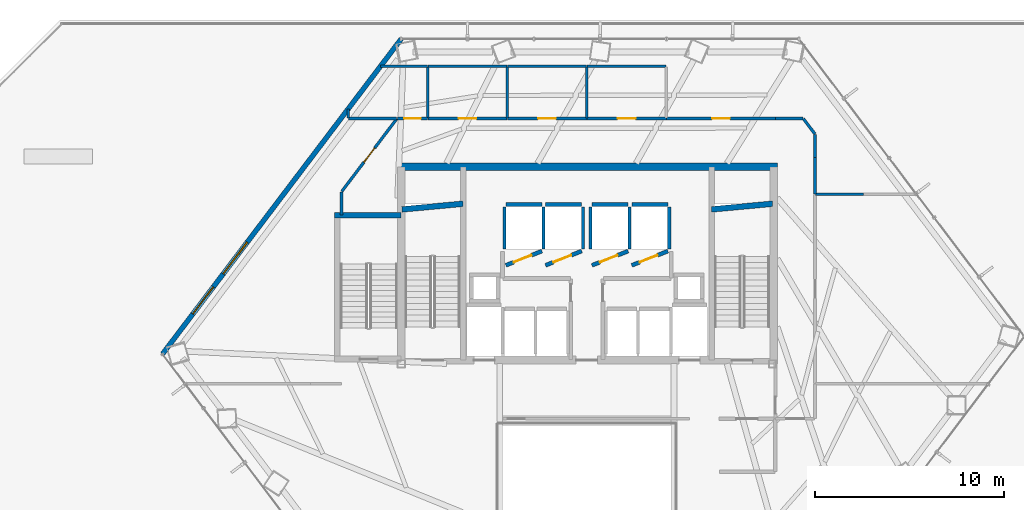
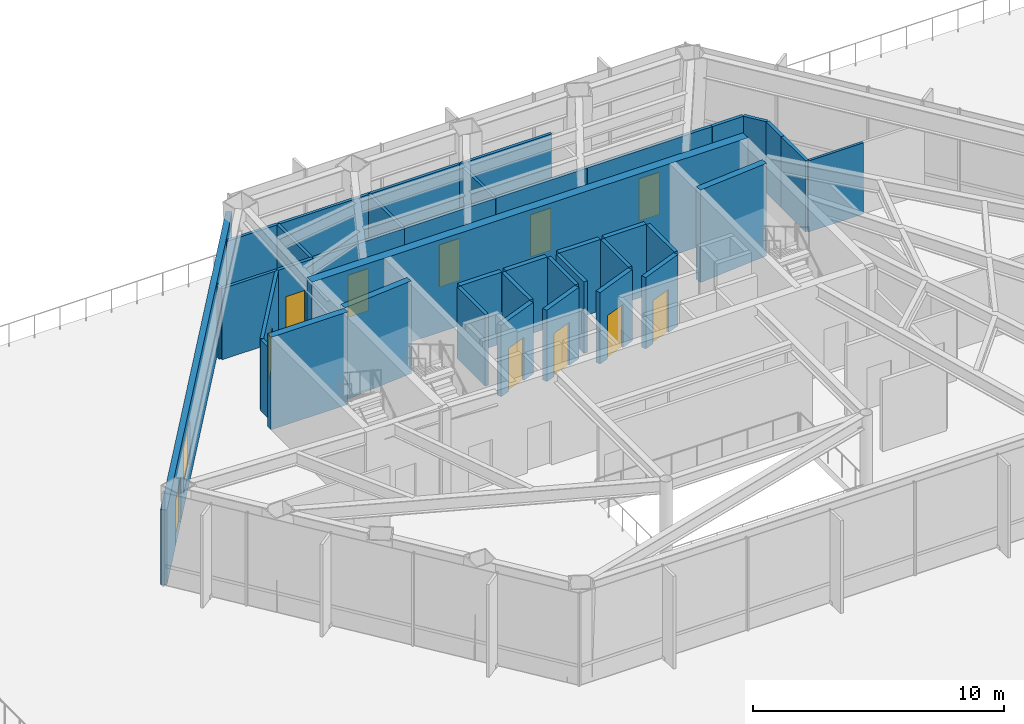
# One storey, part 22 of 30: 40 walls, 11 doors, 1 window, 12 openings.
"""IFC4 building model written with IfcOpenShell, lengths in metres."""

from ifc_helpers import new_model, si_unit, direction, frame, frame_2d, origin, place, context, subcontext, project, spatial, rectangle, extrude, material, layer, layer_set, type_object, element, fill, save


model = new_model("IFC4")

# Units and contexts
model_context = context("Model", 3, precision=1e-05, world=origin(), true_north=direction((0.0, 1.0)))
body_context = subcontext(model_context, "Body", "Model", "MODEL_VIEW")
ifc_project = project(units=[si_unit("LENGTHUNIT", "METRE"), si_unit("AREAUNIT", "SQUARE_METRE"), si_unit("VOLUMEUNIT", "CUBIC_METRE"), si_unit("PLANEANGLEUNIT", "RADIAN"), si_unit("MASSUNIT", "GRAM", prefix="KILO")], contexts=[model_context])

# Site, building, storey
site_placement = place(None, origin())
site = spatial("IfcSite", under=ifc_project, at=site_placement, CompositionType="ELEMENT")
building_placement = place(site_placement, origin())
building = spatial("IfcBuilding", under=site, at=building_placement, Name="Zarrinselat Tower", CompositionType="ELEMENT")
storey_placement = place(building_placement, frame((0.0, 0.0, 22.780029296875)))
storey = spatial("IfcBuildingStorey", under=building, at=storey_placement, Name="L05", CompositionType="ELEMENT", Elevation=22.780029296875)

# Wall, openings, door, window
ifc_material_1 = material(Name="Honed Cream Travertine Stone", Category="masonry")
ifc_layer_1 = layer(ifc_material_1, 0.260009765625)
ifc_layer_set_1 = layer_set([ifc_layer_1], Name="Honed Cream Travertine Stone")
wall_type_1 = type_object("IfcWallType", Name="WAL-EXT-STONE-260", PredefinedType="STANDARD", material=ifc_layer_set_1)
wall_1_placement = place(storey_placement, frame((16.0, 33.568115234375, 0.0), z_axis=(0.0, 0.0, 1.0), x_axis=(0.603864446157, 0.797087028289, 0.0)))
wall_1 = element("IfcWall", 1, at=wall_1_placement, inside=storey, type_object=wall_type_1, Name="L05 Garden Terrace Portal Wall", PredefinedType="STANDARD", context=body_context, shape_type="SweptSolid", body=[
    extrude(rectangle(XDim=20.86572265625, YDim=0.260009765625, at=frame_2d((10.432861328125, 0.0))), origin(), (0.0, 0.0, 1.0), 3.64990234375),
])
opening_1_placement = place(wall_1_placement, frame((2.64990234375, 0.0, 0.0)))
opening_1 = element("IfcOpeningElement", 2, at=opening_1_placement, cuts=wall_1, Name="Opening ED-04", PredefinedType="OPENING", context=body_context, shape_type="SweptSolid", body=[
    extrude(rectangle(XDim=1.800048828125, YDim=2.199951171875, at=frame_2d((0.89990234375, 1.10009765625))), frame((0.0, 0.139892578125, 0.0), z_axis=(0.0, -1.0, 0.0), x_axis=(1.0, 0.0, 0.0)), (0.0, 0.0, 1.0), 0.280029296875),
])
opening_2_placement = place(wall_1_placement, frame((5.300048828125, 0.0, 0.75)))
opening_2 = element("IfcOpeningElement", 3, at=opening_2_placement, cuts=wall_1, Name="Opening WN-3", PredefinedType="OPENING", context=body_context, shape_type="SweptSolid", body=[
    extrude(rectangle(XDim=2.10009765625, YDim=2.199951171875, at=frame_2d((1.050048828125, 1.10009765625))), frame((0.0, 0.139892578125, 0.0), z_axis=(0.0, -1.0, 0.0), x_axis=(1.0, 0.0, 0.0)), (0.0, 0.0, 1.0), 0.280029296875),
])
ifc_material_2 = material(Name="Double Low-E Laminated Solar Glass", Category="glass")
door_type_1 = type_object("IfcDoorType", Name="DR-EXT-TERR-1800", OperationType="NOTDEFINED", PredefinedType="DOOR", material=ifc_material_2)
door_1_placement = place(opening_1_placement, origin())
door_1 = element("IfcDoor", 4, at=door_1_placement, inside=storey, type_object=door_type_1, Name="L05 Outdoor Garden Terrace Double Door", OperationType="DOUBLE_DOOR_SINGLE_SWING", OverallHeight=2.199951171875, OverallWidth=1.800048828125, PredefinedType="DOOR", context=body_context, shape_type="SweptSolid", body=[
    extrude(rectangle(XDim=1.800048828125, YDim=2.199951171875, at=frame_2d((0.89990234375, 1.10009765625))), frame((0.0, 0.02490234375, 0.0), z_axis=(0.0, -1.0, 0.0), x_axis=(1.0, 0.0, 0.0)), (0.0, 0.0, 1.0), 0.050048828125),
])
fill(opening_1, door_1)
ifc_material_3 = material(Name="Double Low-E Laminated Solar Glass", Category="glass")
window_type = type_object("IfcWindowType", Name="WIN-PAVILION-2100", PartitioningType="SINGLE_PANEL", PredefinedType="WINDOW", material=ifc_material_3)
window_placement = place(opening_2_placement, origin())
window = element("IfcWindow", 5, at=window_placement, inside=storey, type_object=window_type, Name="L05 Garden Pavilion Window L", OverallHeight=2.199951171875, OverallWidth=2.10009765625, PartitioningType="SINGLE_PANEL", PredefinedType="WINDOW", context=body_context, shape_type="SweptSolid", body=[
    extrude(rectangle(XDim=2.10009765625, YDim=2.199951171875, at=frame_2d((1.050048828125, 1.10009765625))), frame((0.0, 0.030029296875, 0.0), z_axis=(0.0, -1.0, 0.0), x_axis=(1.0, 0.0, 0.0)), (0.0, 0.0, 1.0), 0.06005859375),
])
fill(opening_2, window)

# Wall, opening, door
ifc_material_4 = material(Name="Fire-Rated Gypsum Board Partition", Category="gypsum")
ifc_layer_2 = layer(ifc_material_4, 0.14990234375)
ifc_layer_set_2 = layer_set([ifc_layer_2], Name="Fire-Rated Gypsum Board Partition")
wall_type_2 = type_object("IfcWallType", Name="WAL-PART-EI60", PredefinedType="PARTITIONING", material=ifc_layer_set_2)
wall_2_placement = place(storey_placement, frame((28.393798828125, 46.0, 0.0), z_axis=(0.0, 0.0, 1.0), x_axis=(1.0, 0.0, 0.0)))
wall_2 = element("IfcWall", 6, at=wall_2_placement, inside=storey, type_object=wall_type_2, Name="L05 Partition Wall 12", PredefinedType="PARTITIONING", context=body_context, shape_type="SweptSolid", body=[
    extrude(rectangle(XDim=1.601318359375, YDim=0.14990234375, at=frame_2d((0.80078125, 0.0))), origin(), (0.0, 0.0, 1.0), 3.45703125),
])
opening_3_placement = place(wall_2_placement, frame((0.360595703125, 0.0, 0.0)))
opening_3 = element("IfcOpeningElement", 7, at=opening_3_placement, cuts=wall_2, Name="Opening ID-03", PredefinedType="OPENING", context=body_context, shape_type="SweptSolid", body=[
    extrude(rectangle(XDim=0.8798828125, YDim=2.050048828125, at=frame_2d((0.43994140625, 1.02490234375))), frame((0.0, 0.0849609375, 0.0), z_axis=(0.0, -1.0, 0.0), x_axis=(1.0, 0.0, 0.0)), (0.0, 0.0, 1.0), 0.169921875),
])
ifc_material_5 = material(Name="Steel S355J2", Category="steel")
door_type_2 = type_object("IfcDoorType", Name="DR-INT-FD60-S", OperationType="NOTDEFINED", PredefinedType="DOOR", material=ifc_material_5)
door_2_placement = place(opening_3_placement, origin())
door_2 = element("IfcDoor", 8, at=door_2_placement, inside=storey, type_object=door_type_2, Name="L05 Interior Door P12", OperationType="SINGLE_SWING_LEFT", OverallHeight=2.050048828125, OverallWidth=0.8798828125, PredefinedType="DOOR", context=body_context, shape_type="SweptSolid", body=[
    extrude(rectangle(XDim=0.8798828125, YDim=2.050048828125, at=frame_2d((0.43994140625, 1.02490234375))), frame((0.0, 0.02490234375, 0.0), z_axis=(0.0, -1.0, 0.0), x_axis=(1.0, 0.0, 0.0)), (0.0, 0.0, 1.0), 0.050048828125),
])
fill(opening_3, door_2)

wall_3_placement = place(storey_placement, frame((30.0048828125, 46.0, 0.0), z_axis=(0.0, 0.0, 1.0), x_axis=(1.0, 0.0, 0.0)))
wall_3 = element("IfcWall", 9, at=wall_3_placement, inside=storey, type_object=wall_type_2, Name="L05 Partition Wall 13", PredefinedType="PARTITIONING", context=body_context, shape_type="SweptSolid", body=[
    extrude(rectangle(XDim=4.190185546875, YDim=0.14990234375, at=frame_2d((2.09521484375, 0.0))), origin(), (0.0, 0.0, 1.0), 3.45703125),
])
opening_4_placement = place(wall_3_placement, frame((1.625, 0.0, 0.0)))
opening_4 = element("IfcOpeningElement", 10, at=opening_4_placement, cuts=wall_3, Name="Opening ID-04", PredefinedType="OPENING", context=body_context, shape_type="SweptSolid", body=[
    extrude(rectangle(XDim=0.93994140625, YDim=2.050048828125, at=frame_2d((0.469970703125, 1.02490234375))), frame((0.0, 0.0849609375, 0.0), z_axis=(0.0, -1.0, 0.0), x_axis=(1.0, 0.0, 0.0)), (0.0, 0.0, 1.0), 0.169921875),
])
ifc_material_6 = material(Name="Fire-Rated Gypsum Board Partition")
door_type_3 = type_object("IfcDoorType", Name="DR-INT-FD30-ENT", OperationType="NOTDEFINED", PredefinedType="DOOR", material=ifc_material_6)
door_3_placement = place(opening_4_placement, origin())
door_3 = element("IfcDoor", 11, at=door_3_placement, inside=storey, type_object=door_type_3, Name="L05 Interior Door P13", OperationType="SINGLE_SWING_RIGHT", OverallHeight=2.050048828125, OverallWidth=0.93994140625, PredefinedType="DOOR", context=body_context, shape_type="SweptSolid", body=[
    extrude(rectangle(XDim=0.93994140625, YDim=2.050048828125, at=frame_2d((0.469970703125, 1.02490234375))), frame((0.0, 0.02490234375, 0.0), z_axis=(0.0, -1.0, 0.0), x_axis=(1.0, 0.0, 0.0)), (0.0, 0.0, 1.0), 0.050048828125),
])
fill(opening_4, door_3)

wall_4_placement = place(storey_placement, frame((34.205078125, 46.0, 0.0), z_axis=(0.0, 0.0, 1.0), x_axis=(1.0, 0.0, 0.0)))
wall_4 = element("IfcWall", 12, at=wall_4_placement, inside=storey, type_object=wall_type_2, Name="L05 Partition Wall 14", PredefinedType="PARTITIONING", context=body_context, shape_type="SweptSolid", body=[
    extrude(rectangle(XDim=4.18994140625, YDim=0.14990234375, at=frame_2d((2.094970703125, 0.0))), origin(), (0.0, 0.0, 1.0), 3.45703125),
])
opening_5_placement = place(wall_4_placement, frame((1.625, 0.0, 0.0)))
opening_5 = element("IfcOpeningElement", 13, at=opening_5_placement, cuts=wall_4, Name="Opening ID-04", PredefinedType="OPENING", context=body_context, shape_type="SweptSolid", body=[
    extrude(rectangle(XDim=0.93994140625, YDim=2.050048828125, at=frame_2d((0.469970703125, 1.02490234375))), frame((0.0, 0.0849609375, 0.0), z_axis=(0.0, -1.0, 0.0), x_axis=(1.0, 0.0, 0.0)), (0.0, 0.0, 1.0), 0.169921875),
])
door_4_placement = place(opening_5_placement, origin())
door_4 = element("IfcDoor", 14, at=door_4_placement, inside=storey, type_object=door_type_3, Name="L05 Interior Door P14", OperationType="SINGLE_SWING_LEFT", OverallHeight=2.050048828125, OverallWidth=0.93994140625, PredefinedType="DOOR", context=body_context, shape_type="SweptSolid", body=[
    extrude(rectangle(XDim=0.93994140625, YDim=2.050048828125, at=frame_2d((0.469970703125, 1.02490234375))), frame((0.0, 0.02490234375, 0.0), z_axis=(0.0, -1.0, 0.0), x_axis=(1.0, 0.0, 0.0)), (0.0, 0.0, 1.0), 0.050048828125),
])
fill(opening_5, door_4)

wall_5_placement = place(storey_placement, frame((38.405029296875, 46.0, 0.0), z_axis=(0.0, 0.0, 1.0), x_axis=(1.0, 0.0, 0.0)))
wall_5 = element("IfcWall", 15, at=wall_5_placement, inside=storey, type_object=wall_type_2, Name="L05 Partition Wall 15", PredefinedType="PARTITIONING", context=body_context, shape_type="SweptSolid", body=[
    extrude(rectangle(XDim=4.18994140625, YDim=0.14990234375, at=frame_2d((2.094970703125, 0.0))), origin(), (0.0, 0.0, 1.0), 3.45703125),
])
opening_6_placement = place(wall_5_placement, frame((1.625, 0.0, 0.0)))
opening_6 = element("IfcOpeningElement", 16, at=opening_6_placement, cuts=wall_5, Name="Opening ID-04", PredefinedType="OPENING", context=body_context, shape_type="SweptSolid", body=[
    extrude(rectangle(XDim=0.93994140625, YDim=2.050048828125, at=frame_2d((0.469970703125, 1.02490234375))), frame((0.0, 0.0849609375, 0.0), z_axis=(0.0, -1.0, 0.0), x_axis=(1.0, 0.0, 0.0)), (0.0, 0.0, 1.0), 0.169921875),
])
door_5_placement = place(opening_6_placement, origin())
door_5 = element("IfcDoor", 17, at=door_5_placement, inside=storey, type_object=door_type_3, Name="L05 Interior Door P15", OperationType="SINGLE_SWING_RIGHT", OverallHeight=2.050048828125, OverallWidth=0.93994140625, PredefinedType="DOOR", context=body_context, shape_type="SweptSolid", body=[
    extrude(rectangle(XDim=0.93994140625, YDim=2.050048828125, at=frame_2d((0.469970703125, 1.02490234375))), frame((0.0, 0.02490234375, 0.0), z_axis=(0.0, -1.0, 0.0), x_axis=(1.0, 0.0, 0.0)), (0.0, 0.0, 1.0), 0.050048828125),
])
fill(opening_6, door_5)

# Wall
wall_6_placement = place(storey_placement, frame((25.449951171875, 40.9150390625, 0.0), z_axis=(0.0, 0.0, 1.0), x_axis=(0.0, 1.0, 0.0)))
element("IfcWall", 18, at=wall_6_placement, inside=storey, type_object=wall_type_2, Name="L05 Partition Wall 19", PredefinedType="PARTITIONING", context=body_context, shape_type="SweptSolid", body=[
    extrude(rectangle(XDim=1.19873046875, YDim=0.14990234375, at=frame_2d((0.599365234375, 0.0))), origin(), (0.0, 0.0, 1.0), 3.45703125),
])

# Wall, opening, door
wall_7_placement = place(storey_placement, frame((25.462158203125, 42.149658203125, 0.0), z_axis=(0.0, 0.0, 1.0), x_axis=(0.60380980605, 0.797128420091, 0.0)))
wall_7 = element("IfcWall", 19, at=wall_7_placement, inside=storey, type_object=wall_type_2, Name="L05 Partition Wall 20", PredefinedType="PARTITIONING", context=body_context, shape_type="SweptSolid", body=[
    extrude(rectangle(XDim=4.810302734375, YDim=0.14990234375, at=frame_2d((2.4052734375, 0.0))), origin(), (0.0, 0.0, 1.0), 3.45703125),
])
opening_7_placement = place(wall_7_placement, frame((1.935302734375, 0.0, 0.0)))
opening_7 = element("IfcOpeningElement", 20, at=opening_7_placement, cuts=wall_7, Name="Opening ID-04", PredefinedType="OPENING", context=body_context, shape_type="SweptSolid", body=[
    extrude(rectangle(XDim=0.93994140625, YDim=2.050048828125, at=frame_2d((0.469970703125, 1.02490234375))), frame((0.0, 0.0849609375, 0.0), z_axis=(0.0, -1.0, 0.0), x_axis=(1.0, 0.0, 0.0)), (0.0, 0.0, 1.0), 0.169921875),
])
door_6_placement = place(opening_7_placement, origin())
door_6 = element("IfcDoor", 21, at=door_6_placement, inside=storey, type_object=door_type_3, Name="L05 Interior Door P20", OperationType="SINGLE_SWING_LEFT", OverallHeight=2.050048828125, OverallWidth=0.93994140625, PredefinedType="DOOR", context=body_context, shape_type="SweptSolid", body=[
    extrude(rectangle(XDim=0.93994140625, YDim=2.050048828125, at=frame_2d((0.469970703125, 1.02490234375))), frame((0.0, 0.02490234375, 0.0), z_axis=(0.0, -1.0, 0.0), x_axis=(1.0, 0.0, 0.0)), (0.0, 0.0, 1.0), 0.050048828125),
])
fill(opening_7, door_6)

wall_8_placement = place(storey_placement, frame((42.60498046875, 46.0, 0.0), z_axis=(0.0, 0.0, 1.0), x_axis=(1.0, 0.0, 0.0)))
wall_8 = element("IfcWall", 22, at=wall_8_placement, inside=storey, type_object=wall_type_2, Name="L05 Partition Wall 21", PredefinedType="PARTITIONING", context=body_context, shape_type="SweptSolid", body=[
    extrude(rectangle(XDim=5.7451171875, YDim=0.14990234375, at=frame_2d((2.87255859375, 0.0))), origin(), (0.0, 0.0, 1.0), 3.45703125),
])
opening_8_placement = place(wall_8_placement, frame((2.402587890625, 0.0, 0.0)))
opening_8 = element("IfcOpeningElement", 23, at=opening_8_placement, cuts=wall_8, Name="Opening ID-04", PredefinedType="OPENING", context=body_context, shape_type="SweptSolid", body=[
    extrude(rectangle(XDim=0.93994140625, YDim=2.050048828125, at=frame_2d((0.469970703125, 1.02490234375))), frame((0.0, 0.0849609375, 0.0), z_axis=(0.0, -1.0, 0.0), x_axis=(1.0, 0.0, 0.0)), (0.0, 0.0, 1.0), 0.169921875),
])
door_7_placement = place(opening_8_placement, origin())
door_7 = element("IfcDoor", 24, at=door_7_placement, inside=storey, type_object=door_type_3, Name="L05 Interior Door P21", OperationType="SINGLE_SWING_RIGHT", OverallHeight=2.050048828125, OverallWidth=0.93994140625, PredefinedType="DOOR", context=body_context, shape_type="SweptSolid", body=[
    extrude(rectangle(XDim=0.93994140625, YDim=2.050048828125, at=frame_2d((0.469970703125, 1.02490234375))), frame((0.0, 0.02490234375, 0.0), z_axis=(0.0, -1.0, 0.0), x_axis=(1.0, 0.0, 0.0)), (0.0, 0.0, 1.0), 0.050048828125),
])
fill(opening_8, door_7)

# Walls
wall_9_placement = place(storey_placement, frame((48.35009765625, 46.0, 0.0), z_axis=(0.0, 0.0, 1.0), x_axis=(1.0, 0.0, 0.0)))
element("IfcWall", 25, at=wall_9_placement, inside=storey, type_object=wall_type_2, Name="L05 Partition Wall 22", PredefinedType="PARTITIONING", context=body_context, shape_type="SweptSolid", body=[
    extrude(rectangle(XDim=1.450927734375, YDim=0.14990234375, at=frame_2d((0.7255859375, 0.0))), origin(), (0.0, 0.0, 1.0), 3.45703125),
])
wall_10_placement = place(storey_placement, frame((49.833251953125, 45.984130859375, 0.0), z_axis=(0.0, 0.0, 1.0), x_axis=(0.603815447154, -0.79712414703, 0.0)))
element("IfcWall", 26, at=wall_10_placement, inside=storey, type_object=wall_type_2, Name="L05 Partition Wall 23", PredefinedType="PARTITIONING", context=body_context, shape_type="SweptSolid", body=[
    extrude(rectangle(XDim=1.00146484375, YDim=0.14990234375, at=frame_2d((0.500732421875, 0.0))), origin(), (0.0, 0.0, 1.0), 3.45703125),
])
wall_11_placement = place(storey_placement, frame((50.449951171875, 43.949951171875, 0.0), z_axis=(0.0, 0.0, 1.0), x_axis=(0.0, 1.0, 0.0)))
element("IfcWall", 27, at=wall_11_placement, inside=storey, type_object=wall_type_2, Name="L05 Partition Wall 24", PredefinedType="PARTITIONING", context=body_context, shape_type="SweptSolid", body=[
    extrude(rectangle(XDim=1.199951171875, YDim=0.14990234375, at=frame_2d((0.60009765625, 0.0))), origin(), (0.0, 0.0, 1.0), 3.45703125),
])
wall_12_placement = place(storey_placement, frame((50.449951171875, 42.0048828125, 0.0), z_axis=(0.0, 0.0, 1.0), x_axis=(0.0, 1.0, 0.0)))
element("IfcWall", 28, at=wall_12_placement, inside=storey, type_object=wall_type_2, Name="L05 Partition Wall 25", PredefinedType="PARTITIONING", context=body_context, shape_type="SweptSolid", body=[
    extrude(rectangle(XDim=1.945068359375, YDim=0.14990234375, at=frame_2d((0.97265625, 0.0))), origin(), (0.0, 0.0, 1.0), 3.45703125),
])
ifc_material_7 = material(Name="Fire-Rated Gypsum Board Partition", Category="gypsum")
ifc_layer_3 = layer(ifc_material_7, 0.1201171875)
ifc_layer_set_3 = layer_set([ifc_layer_3], Name="Fire-Rated Gypsum Board Partition")
wall_type_3 = type_object("IfcWallType", Name="WAL-PART-STD", PredefinedType="PARTITIONING", material=ifc_layer_set_3)
wall_13_placement = place(storey_placement, frame((50.469970703125, 42.0, 0.0), z_axis=(0.0, 0.0, 1.0), x_axis=(1.0, 0.0, 0.0)))
element("IfcWall", 29, at=wall_13_placement, inside=storey, type_object=wall_type_3, Name="L05 Partition Wall 40", PredefinedType="PARTITIONING", context=body_context, shape_type="SweptSolid", body=[
    extrude(rectangle(XDim=2.530029296875, YDim=0.1201171875, at=frame_2d((1.26513671875, 0.0))), origin(), (0.0, 0.0, 1.0), 3.45703125),
])
ifc_material_8 = material(Name="Fire-Rated Gypsum Board Partition", Category="gypsum")
ifc_layer_4 = layer(ifc_material_8, 0.135009765625)
ifc_layer_set_4 = layer_set([ifc_layer_4], Name="Fire-Rated Gypsum Board Partition")
wall_type_4 = type_object("IfcWallType", Name="WAL-PART-WET", PredefinedType="PARTITIONING", material=ifc_layer_set_4)
wall_14_placement = place(storey_placement, frame((30.0, 46.02001953125, 0.0), z_axis=(0.0, 0.0, 1.0), x_axis=(0.0, 1.0, 0.0)))
element("IfcWall", 30, at=wall_14_placement, inside=storey, type_object=wall_type_4, Name="L05 Partition Wall 26", PredefinedType="PARTITIONING", context=body_context, shape_type="SweptSolid", body=[
    extrude(rectangle(XDim=2.7099609375, YDim=0.135009765625, at=frame_2d((1.35498046875, 0.0))), origin(), (0.0, 0.0, 1.0), 3.45703125),
])
wall_15_placement = place(storey_placement, frame((25.820068359375, 46.0, 0.0), z_axis=(0.0, 0.0, 1.0), x_axis=(1.0, 0.0, 0.0)))
element("IfcWall", 31, at=wall_15_placement, inside=storey, type_object=wall_type_4, Name="L05 Partition Wall 27", PredefinedType="PARTITIONING", context=body_context, shape_type="SweptSolid", body=[
    extrude(rectangle(XDim=2.538818359375, YDim=0.135009765625, at=frame_2d((1.26953125, 0.0))), origin(), (0.0, 0.0, 1.0), 3.45703125),
])
wall_16_placement = place(storey_placement, frame((25.800048828125, 46.02001953125, 0.0), z_axis=(0.0, 0.0, 1.0), x_axis=(0.0, 1.0, 0.0)))
element("IfcWall", 32, at=wall_16_placement, inside=storey, type_object=wall_type_4, Name="L05 Partition Wall 28", PredefinedType="PARTITIONING", context=body_context, shape_type="SweptSolid", body=[
    extrude(rectangle(XDim=0.468994140625, YDim=0.135009765625, at=frame_2d((0.234375, 0.0))), origin(), (0.0, 0.0, 1.0), 3.45703125),
])
wall_17_placement = place(storey_placement, frame((27.5166015625, 48.75, 0.0), z_axis=(0.0, 0.0, 1.0), x_axis=(1.0, 0.0, 0.0)))
element("IfcWall", 33, at=wall_17_placement, inside=storey, type_object=wall_type_4, Name="L05 Partition Wall 29", PredefinedType="PARTITIONING", context=body_context, shape_type="SweptSolid", body=[
    extrude(rectangle(XDim=2.46337890625, YDim=0.135009765625, at=frame_2d((1.231689453125, 0.0))), origin(), (0.0, 0.0, 1.0), 3.45703125),
])
wall_18_placement = place(storey_placement, frame((34.199951171875, 46.02001953125, 0.0), z_axis=(0.0, 0.0, 1.0), x_axis=(0.0, 1.0, 0.0)))
element("IfcWall", 34, at=wall_18_placement, inside=storey, type_object=wall_type_4, Name="L05 Partition Wall 30", PredefinedType="PARTITIONING", context=body_context, shape_type="SweptSolid", body=[
    extrude(rectangle(XDim=2.7099609375, YDim=0.135009765625, at=frame_2d((1.35498046875, 0.0))), origin(), (0.0, 0.0, 1.0), 3.45703125),
])
wall_19_placement = place(storey_placement, frame((30.02001953125, 48.75, 0.0), z_axis=(0.0, 0.0, 1.0), x_axis=(1.0, 0.0, 0.0)))
element("IfcWall", 35, at=wall_19_placement, inside=storey, type_object=wall_type_4, Name="L05 Partition Wall 31", PredefinedType="PARTITIONING", context=body_context, shape_type="SweptSolid", body=[
    extrude(rectangle(XDim=4.159912109375, YDim=0.135009765625, at=frame_2d((2.080078125, 0.0))), origin(), (0.0, 0.0, 1.0), 3.45703125),
])
wall_20_placement = place(storey_placement, frame((38.39990234375, 46.02001953125, 0.0), z_axis=(0.0, 0.0, 1.0), x_axis=(0.0, 1.0, 0.0)))
element("IfcWall", 36, at=wall_20_placement, inside=storey, type_object=wall_type_4, Name="L05 Partition Wall 32", PredefinedType="PARTITIONING", context=body_context, shape_type="SweptSolid", body=[
    extrude(rectangle(XDim=2.7099609375, YDim=0.135009765625, at=frame_2d((1.35498046875, 0.0))), origin(), (0.0, 0.0, 1.0), 3.45703125),
])
wall_21_placement = place(storey_placement, frame((34.219970703125, 48.75, 0.0), z_axis=(0.0, 0.0, 1.0), x_axis=(1.0, 0.0, 0.0)))
element("IfcWall", 37, at=wall_21_placement, inside=storey, type_object=wall_type_4, Name="L05 Partition Wall 33", PredefinedType="PARTITIONING", context=body_context, shape_type="SweptSolid", body=[
    extrude(rectangle(XDim=4.159912109375, YDim=0.135009765625, at=frame_2d((2.080078125, 0.0))), origin(), (0.0, 0.0, 1.0), 3.45703125),
])
wall_22_placement = place(storey_placement, frame((38.419921875, 48.75, 0.0), z_axis=(0.0, 0.0, 1.0), x_axis=(1.0, 0.0, 0.0)))
element("IfcWall", 38, at=wall_22_placement, inside=storey, type_object=wall_type_4, Name="L05 Partition Wall 34", PredefinedType="PARTITIONING", context=body_context, shape_type="SweptSolid", body=[
    extrude(rectangle(XDim=4.16015625, YDim=0.135009765625, at=frame_2d((2.080078125, 0.0))), origin(), (0.0, 0.0, 1.0), 3.45703125),
])

# Wall, opening, door
ifc_material_9 = material(Name="Concrete C40/50", Category="concrete")
ifc_layer_5 = layer(ifc_material_9, 0.2099609375)
ifc_layer_set_5 = layer_set([ifc_layer_5], Name="Concrete C40/50")
wall_type_5 = type_object("IfcWallType", Name="WAL-SHAFT-210", PredefinedType="SOLIDWALL", material=ifc_layer_set_5)
wall_23_placement = place(storey_placement, frame((34.1201171875, 38.25, 0.0), z_axis=(0.0, 0.0, 1.0), x_axis=(0.930804993012, 0.36551616241, 0.0)))
wall_23 = element("IfcWall", 39, at=wall_23_placement, inside=storey, type_object=wall_type_5, Name="L05 Lift PL1 Front Shaft Wall", PredefinedType="SOLIDWALL", context=body_context, shape_type="SweptSolid", body=[
    extrude(rectangle(XDim=2.052001953125, YDim=0.2099609375, at=frame_2d((1.02587890625, 0.0))), origin(), (0.0, 0.0, 1.0), 3.471923828125),
])
opening_9_placement = place(wall_23_placement, frame((0.455078125, 0.0, 0.0)))
opening_9 = element("IfcOpeningElement", 40, at=opening_9_placement, cuts=wall_23, Name="Opening LD-PL1", PredefinedType="OPENING", context=body_context, shape_type="SweptSolid", body=[
    extrude(rectangle(XDim=1.0, YDim=2.10009765625, at=frame_2d((0.5, 1.050048828125))), frame((0.0, 0.114990234375, 0.0), z_axis=(0.0, -1.0, 0.0), x_axis=(1.0, 0.0, 0.0)), (0.0, 0.0, 1.0), 0.22998046875),
])
ifc_material_10 = material(Name="Steel S355J2", Category="steel")
door_type_4 = type_object("IfcDoorType", Name="DR-LIFT-PS-1000", OperationType="NOTDEFINED", PredefinedType="DOOR", material=ifc_material_10)
door_8_placement = place(opening_9_placement, origin())
door_8 = element("IfcDoor", 41, at=door_8_placement, inside=storey, type_object=door_type_4, Name="L05 Lift PL1 Sliding Landing Door", OperationType="SLIDING_TO_LEFT", OverallHeight=2.10009765625, OverallWidth=1.0, PredefinedType="DOOR", context=body_context, shape_type="SweptSolid", body=[
    extrude(rectangle(XDim=1.0, YDim=2.10009765625, at=frame_2d((0.5, 1.050048828125))), frame((0.0, 0.02490234375, 0.0), z_axis=(0.0, -1.0, 0.0), x_axis=(1.0, 0.0, 0.0)), (0.0, 0.0, 1.0), 0.050048828125),
])
fill(opening_9, door_8)

# Walls
wall_24_placement = place(storey_placement, frame((34.1201171875, 41.455078125, 0.0), z_axis=(0.0, 0.0, 1.0), x_axis=(1.0, 0.0, 0.0)))
element("IfcWall", 42, at=wall_24_placement, inside=storey, type_object=wall_type_5, Name="L05 Lift PL1 Rear Shaft Wall", PredefinedType="SOLIDWALL", context=body_context, shape_type="SweptSolid", body=[
    extrude(rectangle(XDim=1.909912109375, YDim=0.2099609375, at=frame_2d((0.955078125, 0.0))), origin(), (0.0, 0.0, 1.0), 3.471923828125),
])
for number, where, z_axis, x_axis, name in (
    (43, (34.050048828125, 39.1201171875, 0.0), (0.0, 0.0, 1.0), (0.0, 1.0, 0.0), "L05 Lift PL1 W Shaft Wall"),
    (44, (36.10009765625, 39.1201171875, 0.0), (0.0, 0.0, 1.0), (0.0, 1.0, 0.0), "L05 Lift PL1 E Shaft Wall"),
):
    element("IfcWall", number, at=place(storey_placement, frame(where, z_axis=z_axis, x_axis=x_axis)), inside=storey, type_object=wall_type_5, Name=name, PredefinedType="SOLIDWALL", context=body_context, shape_type="SweptSolid", body=[
        extrude(rectangle(XDim=2.2099609375, YDim=0.159912109375, at=frame_2d((1.10498046875, 0.0))), origin(), (0.0, 0.0, 1.0), 3.471923828125),
    ])

# Wall, opening, door
wall_25_placement = place(storey_placement, frame((36.219970703125, 38.25, 0.0), z_axis=(0.0, 0.0, 1.0), x_axis=(0.930804993012, 0.36551616241, 0.0)))
wall_25 = element("IfcWall", 45, at=wall_25_placement, inside=storey, type_object=wall_type_5, Name="L05 Lift PL2 Front Shaft Wall", PredefinedType="SOLIDWALL", context=body_context, shape_type="SweptSolid", body=[
    extrude(rectangle(XDim=2.052001953125, YDim=0.2099609375, at=frame_2d((1.02587890625, 0.0))), origin(), (0.0, 0.0, 1.0), 3.471923828125),
])
opening_10_placement = place(wall_25_placement, frame((0.455078125, 0.0, 0.0)))
opening_10 = element("IfcOpeningElement", 46, at=opening_10_placement, cuts=wall_25, Name="Opening LD-PL2", PredefinedType="OPENING", context=body_context, shape_type="SweptSolid", body=[
    extrude(rectangle(XDim=1.0, YDim=2.10009765625, at=frame_2d((0.5, 1.050048828125))), frame((0.0, 0.114990234375, 0.0), z_axis=(0.0, -1.0, 0.0), x_axis=(1.0, 0.0, 0.0)), (0.0, 0.0, 1.0), 0.22998046875),
])
door_9_placement = place(opening_10_placement, origin())
door_9 = element("IfcDoor", 47, at=door_9_placement, inside=storey, type_object=door_type_4, Name="L05 Lift PL2 Sliding Landing Door", OperationType="SLIDING_TO_RIGHT", OverallHeight=2.10009765625, OverallWidth=1.0, PredefinedType="DOOR", context=body_context, shape_type="SweptSolid", body=[
    extrude(rectangle(XDim=1.0, YDim=2.10009765625, at=frame_2d((0.5, 1.050048828125))), frame((0.0, 0.02490234375, 0.0), z_axis=(0.0, -1.0, 0.0), x_axis=(1.0, 0.0, 0.0)), (0.0, 0.0, 1.0), 0.050048828125),
])
fill(opening_10, door_9)

# Walls
wall_26_placement = place(storey_placement, frame((36.219970703125, 41.455078125, 0.0), z_axis=(0.0, 0.0, 1.0), x_axis=(1.0, 0.0, 0.0)))
element("IfcWall", 48, at=wall_26_placement, inside=storey, type_object=wall_type_5, Name="L05 Lift PL2 Rear Shaft Wall", PredefinedType="SOLIDWALL", context=body_context, shape_type="SweptSolid", body=[
    extrude(rectangle(XDim=1.909912109375, YDim=0.2099609375, at=frame_2d((0.955078125, 0.0))), origin(), (0.0, 0.0, 1.0), 3.471923828125),
])
wall_27_placement = place(storey_placement, frame((38.199951171875, 39.1201171875, 0.0), z_axis=(0.0, 0.0, 1.0), x_axis=(0.0, 1.0, 0.0)))
element("IfcWall", 49, at=wall_27_placement, inside=storey, type_object=wall_type_5, Name="L05 Lift PL2 E Shaft Wall", PredefinedType="SOLIDWALL", context=body_context, shape_type="SweptSolid", body=[
    extrude(rectangle(XDim=2.2099609375, YDim=0.159912109375, at=frame_2d((1.10498046875, 0.0))), origin(), (0.0, 0.0, 1.0), 3.471923828125),
])

# Wall, opening, door
wall_28_placement = place(storey_placement, frame((38.669921875, 38.25, 0.0), z_axis=(0.0, 0.0, 1.0), x_axis=(0.930820886763, 0.3654756856, 0.0)))
wall_28 = element("IfcWall", 50, at=wall_28_placement, inside=storey, type_object=wall_type_5, Name="L05 Lift PL3 Front Shaft Wall", PredefinedType="SOLIDWALL", context=body_context, shape_type="SweptSolid", body=[
    extrude(rectangle(XDim=2.052001953125, YDim=0.2099609375, at=frame_2d((1.02587890625, 0.0))), origin(), (0.0, 0.0, 1.0), 3.471923828125),
])
opening_11_placement = place(wall_28_placement, frame((0.455078125, 0.0, 0.0)))
opening_11 = element("IfcOpeningElement", 51, at=opening_11_placement, cuts=wall_28, Name="Opening LD-PL3", PredefinedType="OPENING", context=body_context, shape_type="SweptSolid", body=[
    extrude(rectangle(XDim=1.0, YDim=2.10009765625, at=frame_2d((0.5, 1.050048828125))), frame((0.0, 0.114990234375, 0.0), z_axis=(0.0, -1.0, 0.0), x_axis=(1.0, 0.0, 0.0)), (0.0, 0.0, 1.0), 0.22998046875),
])
door_10_placement = place(opening_11_placement, origin())
door_10 = element("IfcDoor", 52, at=door_10_placement, inside=storey, type_object=door_type_4, Name="L05 Lift PL3 Sliding Landing Door", OperationType="SLIDING_TO_LEFT", OverallHeight=2.10009765625, OverallWidth=1.0, PredefinedType="DOOR", context=body_context, shape_type="SweptSolid", body=[
    extrude(rectangle(XDim=1.0, YDim=2.10009765625, at=frame_2d((0.5, 1.050048828125))), frame((0.0, 0.02490234375, 0.0), z_axis=(0.0, -1.0, 0.0), x_axis=(1.0, 0.0, 0.0)), (0.0, 0.0, 1.0), 0.050048828125),
])
fill(opening_11, door_10)

# Walls
wall_29_placement = place(storey_placement, frame((38.669921875, 41.455078125, 0.0), z_axis=(0.0, 0.0, 1.0), x_axis=(1.0, 0.0, 0.0)))
element("IfcWall", 53, at=wall_29_placement, inside=storey, type_object=wall_type_5, Name="L05 Lift PL3 Rear Shaft Wall", PredefinedType="SOLIDWALL", context=body_context, shape_type="SweptSolid", body=[
    extrude(rectangle(XDim=1.91015625, YDim=0.2099609375, at=frame_2d((0.955078125, 0.0))), origin(), (0.0, 0.0, 1.0), 3.471923828125),
])
for number, where, z_axis, x_axis, name in (
    (54, (38.60009765625, 39.1201171875, 0.0), (0.0, 0.0, 1.0), (0.0, 1.0, 0.0), "L05 Lift PL3 W Shaft Wall"),
    (55, (40.64990234375, 39.1201171875, 0.0), (0.0, 0.0, 1.0), (0.0, 1.0, 0.0), "L05 Lift PL3 E Shaft Wall"),
):
    element("IfcWall", number, at=place(storey_placement, frame(where, z_axis=z_axis, x_axis=x_axis)), inside=storey, type_object=wall_type_5, Name=name, PredefinedType="SOLIDWALL", context=body_context, shape_type="SweptSolid", body=[
        extrude(rectangle(XDim=2.2099609375, YDim=0.159912109375, at=frame_2d((1.10498046875, 0.0))), origin(), (0.0, 0.0, 1.0), 3.471923828125),
    ])

# Wall, opening, door
wall_30_placement = place(storey_placement, frame((40.77001953125, 38.25, 0.0), z_axis=(0.0, 0.0, 1.0), x_axis=(0.930804993012, 0.36551616241, 0.0)))
wall_30 = element("IfcWall", 56, at=wall_30_placement, inside=storey, type_object=wall_type_5, Name="L05 Lift PL4 Front Shaft Wall", PredefinedType="SOLIDWALL", context=body_context, shape_type="SweptSolid", body=[
    extrude(rectangle(XDim=2.052001953125, YDim=0.2099609375, at=frame_2d((1.02587890625, 0.0))), origin(), (0.0, 0.0, 1.0), 3.471923828125),
])
opening_12_placement = place(wall_30_placement, frame((0.455078125, 0.0, 0.0)))
opening_12 = element("IfcOpeningElement", 57, at=opening_12_placement, cuts=wall_30, Name="Opening LD-PL4", PredefinedType="OPENING", context=body_context, shape_type="SweptSolid", body=[
    extrude(rectangle(XDim=1.0, YDim=2.10009765625, at=frame_2d((0.5, 1.050048828125))), frame((0.0, 0.114990234375, 0.0), z_axis=(0.0, -1.0, 0.0), x_axis=(1.0, 0.0, 0.0)), (0.0, 0.0, 1.0), 0.22998046875),
])
door_11_placement = place(opening_12_placement, origin())
door_11 = element("IfcDoor", 58, at=door_11_placement, inside=storey, type_object=door_type_4, Name="L05 Lift PL4 Sliding Landing Door", OperationType="SLIDING_TO_RIGHT", OverallHeight=2.10009765625, OverallWidth=1.0, PredefinedType="DOOR", context=body_context, shape_type="SweptSolid", body=[
    extrude(rectangle(XDim=1.0, YDim=2.10009765625, at=frame_2d((0.5, 1.050048828125))), frame((0.0, 0.02490234375, 0.0), z_axis=(0.0, -1.0, 0.0), x_axis=(1.0, 0.0, 0.0)), (0.0, 0.0, 1.0), 0.050048828125),
])
fill(opening_12, door_11)

# Walls
wall_31_placement = place(storey_placement, frame((40.77001953125, 41.455078125, 0.0), z_axis=(0.0, 0.0, 1.0), x_axis=(1.0, 0.0, 0.0)))
element("IfcWall", 59, at=wall_31_placement, inside=storey, type_object=wall_type_5, Name="L05 Lift PL4 Rear Shaft Wall", PredefinedType="SOLIDWALL", context=body_context, shape_type="SweptSolid", body=[
    extrude(rectangle(XDim=1.909912109375, YDim=0.2099609375, at=frame_2d((0.955078125, 0.0))), origin(), (0.0, 0.0, 1.0), 3.471923828125),
])
wall_32_placement = place(storey_placement, frame((42.75, 39.1201171875, 0.0), z_axis=(0.0, 0.0, 1.0), x_axis=(0.0, 1.0, 0.0)))
element("IfcWall", 60, at=wall_32_placement, inside=storey, type_object=wall_type_5, Name="L05 Lift PL4 E Shaft Wall", PredefinedType="SOLIDWALL", context=body_context, shape_type="SweptSolid", body=[
    extrude(rectangle(XDim=2.2099609375, YDim=0.159912109375, at=frame_2d((1.10498046875, 0.0))), origin(), (0.0, 0.0, 1.0), 3.471923828125),
])
ifc_material_11 = material(Name="Concrete C40/50", Category="concrete")
ifc_layer_6 = layer(ifc_material_11, 0.300048828125)
ifc_layer_set_6 = layer_set([ifc_layer_6], Name="Concrete C40/50")
wall_type_6 = type_object("IfcWallType", Name="WAL-SHEAR-300", PredefinedType="SHEAR", material=ifc_layer_set_6)
wall_33_placement = place(storey_placement, frame((28.639892578125, 41.199951171875, 0.0), z_axis=(0.0, 0.0, 1.0), x_axis=(0.995687118776, 0.092774789157, 0.0)))
element("IfcWall", 61, at=wall_33_placement, inside=storey, type_object=wall_type_6, Name="L05 Stair 1 North Shaft Wall", PredefinedType="SHEAR", context=body_context, shape_type="SweptSolid", body=[
    extrude(rectangle(XDim=3.234130859375, YDim=0.300048828125, at=frame_2d((1.6171875, 0.0))), origin(), (0.0, 0.0, 1.0), 4.5),
])
wall_34_placement = place(storey_placement, frame((44.97998046875, 41.199951171875, 0.0), z_axis=(0.0, 0.0, 1.0), x_axis=(0.995686468965, 0.09278176286, 0.0)))
element("IfcWall", 62, at=wall_34_placement, inside=storey, type_object=wall_type_6, Name="L05 Stair 2 North Shaft Wall", PredefinedType="SHEAR", context=body_context, shape_type="SweptSolid", body=[
    extrude(rectangle(XDim=3.23388671875, YDim=0.300048828125, at=frame_2d((1.616943359375, 0.0))), origin(), (0.0, 0.0, 1.0), 4.5),
])
wall_35_placement = place(storey_placement, frame((25.080078125, 40.89990234375, 0.0), z_axis=(0.0, 0.0, 1.0), x_axis=(1.0, 0.0, 0.0)))
element("IfcWall", 63, at=wall_35_placement, inside=storey, type_object=wall_type_6, Name="L05 Stair 3 North Shear Wall", PredefinedType="SHEAR", context=body_context, shape_type="SweptSolid", body=[
    extrude(rectangle(XDim=3.52001953125, YDim=0.300048828125, at=frame_2d((1.760009765625, 0.0))), origin(), (0.0, 0.0, 1.0), 4.5),
])
ifc_material_12 = material(Name="Concrete C60/75", Category="concrete")
ifc_layer_7 = layer(ifc_material_12, 0.39990234375)
ifc_layer_set_7 = layer_set([ifc_layer_7], Name="Concrete C60/75")
wall_type_7 = type_object("IfcWallType", Name="WAL-SHEAR-400", PredefinedType="SHEAR", material=ifc_layer_set_7)
wall_36_placement = place(storey_placement, frame((28.39990234375, 43.449951171875, 0.0), z_axis=(0.0, 0.0, 1.0), x_axis=(1.0, 0.0, 0.0)))
element("IfcWall", 64, at=wall_36_placement, inside=storey, type_object=wall_type_7, Name="L05 North Core Shear Wall", PredefinedType="SHEAR", context=body_context, shape_type="SweptSolid", body=[
    extrude(rectangle(XDim=20.06005859375, YDim=0.39990234375, at=frame_2d((10.030029296875, 0.0))), origin(), (0.0, 0.0, 1.0), 4.5),
])

save(model, "model.ifc")
